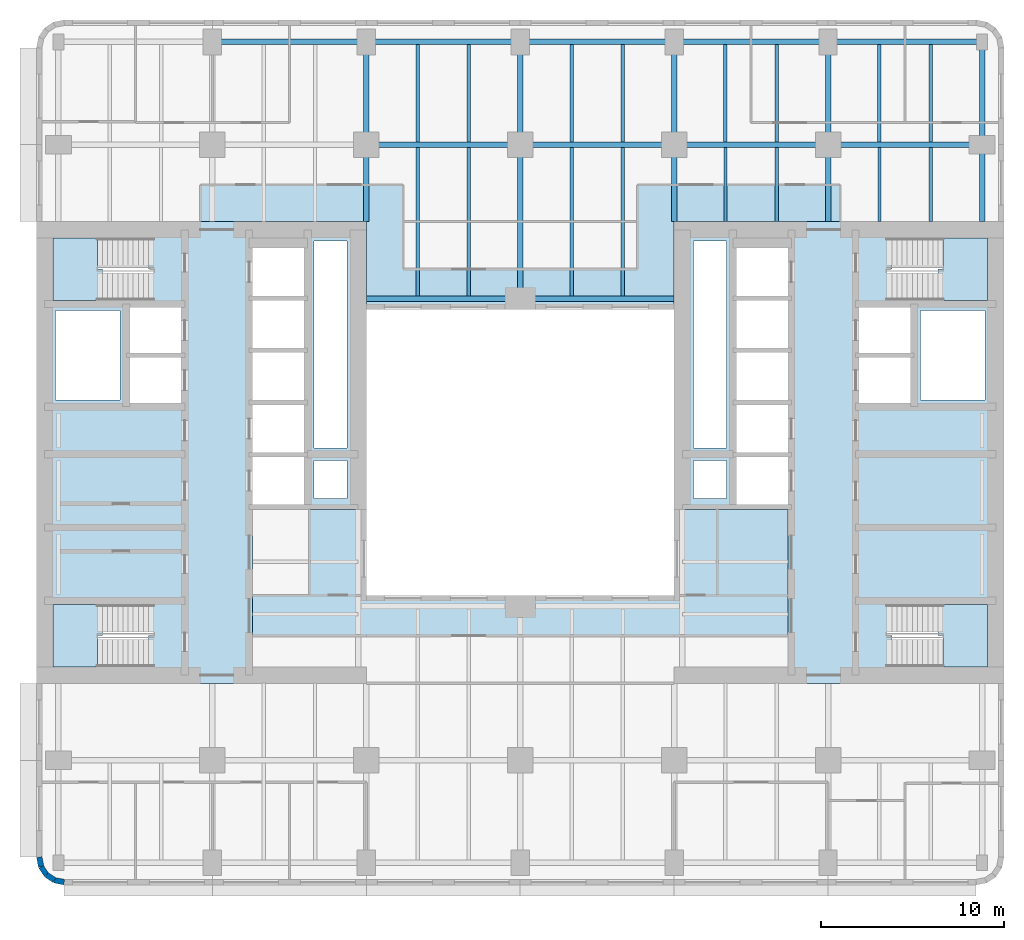
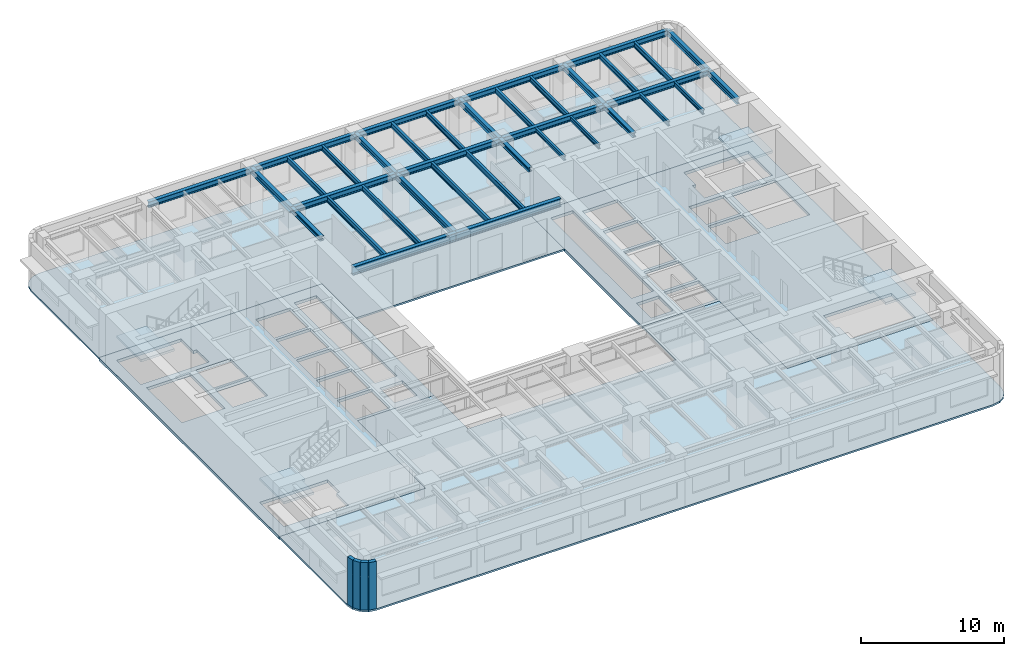
# One storey, part 2 of 11: 37 beams, 8 slabs, 4 walls, 4 elements without a shape of their own.
"""IFC4 building model written with IfcOpenShell, lengths in metres."""

import ifcopenshell
import ifcopenshell.guid

model = None  # the IFC model being written
_history = None  # IfcOwnerHistory: only IFC2X3 demands one
_inside = {}  # id of a spatial element -> (the spatial element, [elements in it])
_under = {}  # id of a project, library or spatial element -> (it, [spatial elements below it])
_declared = {}  # id of a project -> (the project, [libraries it declares])
_typed = {}  # id of a type object -> (the type object, [elements of that type])
_made_of = {}  # id of a material, layer set ... -> (it, [elements and type objects made of it])


def new_model(schema):
    """Start an empty IFC model of exactly this schema.

    Asked for "IFC4X3", IfcOpenShell would pick the latest addendum, in which some entities
    have other attributes; the version numbers below select the first issue.
    IFC2X3 requires an IfcOwnerHistory on every rooted entity: one is made here for all.
    """
    global model, _history
    if schema == "IFC4X3":
        model = ifcopenshell.file(schema_version=(4, 3, 0, 0))
    else:
        model = ifcopenshell.file(schema=schema)
    _inside.clear()
    _under.clear()
    _declared.clear()
    _typed.clear()
    _made_of.clear()
    _history = None
    if model.schema == "IFC2X3":
        org = make("IfcOrganization", Name="unknown")
        user = make(
            "IfcPersonAndOrganization",
            ThePerson=make("IfcPerson", FamilyName="unknown"),
            TheOrganization=org,
        )
        app = make(
            "IfcApplication",
            ApplicationDeveloper=org,
            Version="unknown",
            ApplicationFullName="unknown",
            ApplicationIdentifier="unknown",
        )
        _history = make(
            "IfcOwnerHistory",
            OwningUser=user,
            OwningApplication=app,
            ChangeAction="ADDED",
            CreationDate=0,
        )
    return model


def make(cls, **values):
    """One entity of the class cls with the attributes given. An attribute that is None is left unset."""
    return model.create_entity(
        cls, **{name: value for name, value in values.items() if value is not None}
    )


def rooted(cls, **values):
    """An entity with a GlobalId (a new one), such as an element, a storey or a relation."""
    return make(cls, GlobalId=ifcopenshell.guid.new(), OwnerHistory=_history, **values)


def si_unit(unit_type, name, prefix=None):
    """IfcSIUnit, for example si_unit("LENGTHUNIT", "METRE", prefix="MILLI")."""
    return make("IfcSIUnit", UnitType=unit_type, Prefix=prefix, Name=name)


def assignment(units):
    """IfcUnitAssignment: the units of a project."""
    return None if units is None else make("IfcUnitAssignment", Units=units)


def point(xyz):
    """IfcCartesianPoint."""
    return None if xyz is None else make("IfcCartesianPoint", Coordinates=xyz)


def direction(xyz):
    """IfcDirection."""
    return None if xyz is None else make("IfcDirection", DirectionRatios=xyz)


def frame(location, z_axis=None, x_axis=None):
    """IfcAxis2Placement3D, a coordinate frame: its origin and axes. An axis left out is left unset."""
    return make(
        "IfcAxis2Placement3D",
        Location=point(location),
        Axis=direction(z_axis),
        RefDirection=direction(x_axis),
    )


def frame_2d(location, x_axis=None):
    """IfcAxis2Placement2D, a coordinate frame in the plane: its origin and x axis."""
    return make(
        "IfcAxis2Placement2D", Location=point(location), RefDirection=direction(x_axis)
    )


def origin():
    """The frame at (0, 0, 0) with its axes left unset."""
    return frame((0.0, 0.0, 0.0))


def origin_2d():
    """The frame at (0, 0) in the plane with its x axis left unset."""
    return frame_2d((0.0, 0.0))


def place(relative_to, where):
    """IfcLocalPlacement: puts the frame where relative to a parent placement (None: the world)."""
    return make(
        "IfcLocalPlacement", PlacementRelTo=relative_to, RelativePlacement=where
    )


def context(
    kind, dimensions, precision=None, world=None, true_north=None, identifier=None
):
    """IfcGeometricRepresentationContext, for example the 3D "Model" context."""
    return make(
        "IfcGeometricRepresentationContext",
        ContextIdentifier=identifier,
        ContextType=kind,
        CoordinateSpaceDimension=dimensions,
        Precision=precision,
        WorldCoordinateSystem=world,
        TrueNorth=true_north,
    )


def subcontext(parent, identifier, kind, view, scale=None):
    """IfcGeometricRepresentationSubContext, for example "Body" below "Model"."""
    return make(
        "IfcGeometricRepresentationSubContext",
        ContextIdentifier=identifier,
        ContextType=kind,
        ParentContext=parent,
        TargetScale=scale,
        TargetView=view,
    )


def project(units=None, contexts=None):
    """IfcProject with its units and contexts."""
    return rooted(
        "IfcProject",
        Name="project",
        RepresentationContexts=contexts,
        UnitsInContext=assignment(units),
    )


def spatial(cls, under=None, at=None, **own):
    """A site, building, storey or space (cls), placed at a placement, below another one or the project."""
    s = rooted(cls, ObjectPlacement=at, **own)
    if under is not None:
        _under.setdefault(under.id(), (under, []))[1].append(s)
    return s


def polyline(points):
    """IfcPolyline through the points."""
    return make("IfcPolyline", Points=[point(p) for p in points])


def profile(cls, at=None, kind="AREA", **sizes):
    """A parametric profile (cls). Its sizes go by their IFC names, for example OverallWidth=200.0."""
    return make(cls, ProfileType=kind, Position=at, **sizes)


def rectangle(**sizes):
    """IfcRectangleProfileDef."""
    return profile("IfcRectangleProfileDef", **sizes)


def i_section(**sizes):
    """IfcIShapeProfileDef."""
    return profile("IfcIShapeProfileDef", **sizes)


def outline(outer, holes=None, kind="AREA"):
    """IfcArbitraryClosedProfileDef: a profile drawn as a closed curve; with holes, ...WithVoids."""
    if holes is None:
        return make("IfcArbitraryClosedProfileDef", ProfileType=kind, OuterCurve=outer)
    return make(
        "IfcArbitraryProfileDefWithVoids",
        ProfileType=kind,
        OuterCurve=outer,
        InnerCurves=holes,
    )


def extrude(swept, where, along, depth):
    """IfcExtrudedAreaSolid: the profile swept, set in the frame where, extruded along a direction by depth."""
    return make(
        "IfcExtrudedAreaSolid",
        SweptArea=swept,
        Position=where,
        ExtrudedDirection=direction(along),
        Depth=depth,
    )


def shape(context_of_items, identifier, shape_type, items):
    """IfcShapeRepresentation: the items that make up one representation, for example the "Body"."""
    return make(
        "IfcShapeRepresentation",
        ContextOfItems=context_of_items,
        RepresentationIdentifier=identifier,
        RepresentationType=shape_type,
        Items=items,
    )


def material(Name=None, Category=None):
    """IfcMaterial."""
    return make("IfcMaterial", Name=Name, Category=Category)


def layer(
    of_material, thickness, ventilated=None, Name=None, Category=None, Priority=None
):
    """IfcMaterialLayer: one layer of a wall or slab, of a material (None: an air gap)."""
    return make(
        "IfcMaterialLayer",
        Material=of_material,
        LayerThickness=thickness,
        IsVentilated=ventilated,
        Name=Name,
        Category=Category,
        Priority=Priority,
    )


def layer_set(layers, Name=None):
    """IfcMaterialLayerSet."""
    return make("IfcMaterialLayerSet", MaterialLayers=layers, LayerSetName=Name)


def material_profile(
    of_material, cross_section, Name=None, Category=None, Priority=None
):
    """IfcMaterialProfile: a cross section and its material."""
    return make(
        "IfcMaterialProfile",
        Name=Name,
        Material=of_material,
        Profile=cross_section,
        Priority=Priority,
        Category=Category,
    )


def profile_set(profiles, Name=None, composite=None):
    """IfcMaterialProfileSet."""
    return make(
        "IfcMaterialProfileSet",
        Name=Name,
        MaterialProfiles=profiles,
        CompositeProfile=composite,
    )


def made_of(thing, what):
    """Note that an element or type object is made of a material, layer set ...; save() writes the relation."""
    if what is not None:
        _made_of.setdefault(what.id(), (what, []))[1].append(thing)
    return thing


def type_object(cls, material=None, **own):
    """A type object (cls), such as IfcWallType, which elements share."""
    return made_of(rooted(cls, **own), material)


def element(
    cls,
    number,
    at=None,
    inside=None,
    cuts=None,
    type_object=None,
    material=None,
    context=None,
    identifier="Body",
    shape_type=None,
    held_by="IfcProductDefinitionShape",
    body=None,
    shapes=None,
    **own,
):
    """One element of the class cls, such as IfcWall. Its Tag is "e" and its number.

    at: its placement. inside: the storey or other place that contains it. cuts: it is an
    opening in that element (IfcRelVoidsElement). A single representation is given by context,
    identifier, shape_type and body (its items); several are given by shapes. held_by: the class
    of the entity that holds the representations. save() writes the other relations.
    """
    e = rooted(cls, Tag="e%d" % number, ObjectPlacement=at, **own)
    if body is not None:
        shapes = [shape(context, identifier, shape_type, body)]
    if shapes is not None:
        e.Representation = make(held_by, Representations=shapes)
    if inside is not None:
        _inside.setdefault(inside.id(), (inside, []))[1].append(e)
    if cuts is not None:
        rooted(
            "IfcRelVoidsElement", RelatingBuildingElement=cuts, RelatedOpeningElement=e
        )
    if type_object is not None:
        _typed.setdefault(type_object.id(), (type_object, []))[1].append(e)
    return made_of(e, material)


def aggregate(whole, parts):
    """IfcRelAggregates: a whole, such as a stair, and the parts it consists of."""
    return rooted("IfcRelAggregates", RelatingObject=whole, RelatedObjects=parts)


def save(model, path):
    """Write the relations noted so far, then the file.

    IfcRelAggregates (storeys below a building ...), IfcRelContainedInSpatialStructure (elements
    in a storey), IfcRelDefinesByType, IfcRelAssociatesMaterial and IfcRelDeclares: one each for
    every whole, place, type object, material and project.
    """
    for whole, parts in _under.values():
        aggregate(whole, parts)
    for where, things in _inside.values():
        rooted(
            "IfcRelContainedInSpatialStructure",
            RelatedElements=things,
            RelatingStructure=where,
        )
    for kind, things in _typed.values():
        rooted("IfcRelDefinesByType", RelatedObjects=things, RelatingType=kind)
    for what, things in _made_of.values():
        rooted("IfcRelAssociatesMaterial", RelatedObjects=things, RelatingMaterial=what)
    for by, libraries in _declared.values():
        rooted("IfcRelDeclares", RelatingContext=by, RelatedDefinitions=libraries)
    model.write(path)


model = new_model("IFC4")

# Units and contexts
model_context = context("Model", 3, precision=1e-05, world=origin(), true_north=direction((0.0, 1.0)))
body_context = subcontext(model_context, "Body", "Model", "MODEL_VIEW")
ifc_project = project(units=[si_unit("LENGTHUNIT", "METRE"), si_unit("AREAUNIT", "SQUARE_METRE"), si_unit("VOLUMEUNIT", "CUBIC_METRE"), si_unit("PLANEANGLEUNIT", "RADIAN"), si_unit("MASSUNIT", "GRAM", prefix="KILO")], contexts=[model_context])

# Site, building, storey
site_placement = place(None, origin())
site = spatial("IfcSite", under=ifc_project, at=site_placement, CompositionType="ELEMENT")
building_placement = place(site_placement, origin())
building = spatial("IfcBuilding", under=site, at=building_placement, Name="Claustro Exchange Tower", CompositionType="ELEMENT")
storey_placement = place(building_placement, frame((0.0, 0.0, 105.0)))
storey = spatial("IfcBuildingStorey", under=building, at=storey_placement, Name="L23", CompositionType="ELEMENT", Elevation=105.0)

# Beams
ifc_material_1 = material(Name="Steel S355", Category="steel")
ifc_material_profile_1 = material_profile(ifc_material_1, i_section(OverallWidth=0.300048828125, OverallDepth=0.68994140625, WebThickness=0.014404296875, FlangeThickness=0.027099609375, FilletRadius=0.027099609375, at=origin_2d()), Name="HE 700 A")
ifc_profile_set_1 = profile_set([ifc_material_profile_1], Name="Steel S355")
beam_type_1 = type_object("IfcBeamType", Name="B13 HE 700 A light well edge girder", PredefinedType="BEAM", material=ifc_profile_set_1)
beam_1_placement = place(storey_placement, frame((16.800048828125, 33.60009765625, 3.705078125), z_axis=(1.0, 0.0, 0.0), x_axis=(0.0, 1.0, 0.0)))
element("IfcBeam", 1, at=beam_1_placement, inside=storey, type_object=beam_type_1, Name="Beam B13 L24", PredefinedType="BEAM", context=body_context, shape_type="SweptSolid", body=[
    extrude(i_section(OverallWidth=0.300048828125, OverallDepth=0.68994140625, WebThickness=0.014404296875, FlangeThickness=0.027099609375, FilletRadius=0.027099609375, at=origin_2d()), origin(), (0.0, 0.0, 1.0), 8.39990234375),
])
beam_2_placement = place(storey_placement, frame((25.199951171875, 33.60009765625, 3.705078125), z_axis=(1.0, 0.0, 0.0), x_axis=(0.0, 1.0, 0.0)))
element("IfcBeam", 2, at=beam_2_placement, inside=storey, type_object=beam_type_1, Name="Beam B13 L24", PredefinedType="BEAM", context=body_context, shape_type="SweptSolid", body=[
    extrude(i_section(OverallWidth=0.300048828125, OverallDepth=0.68994140625, WebThickness=0.014404296875, FlangeThickness=0.027099609375, FilletRadius=0.027099609375, at=origin_2d()), origin(), (0.0, 0.0, 1.0), 8.400146484375),
])
ifc_material_2 = material(Name="Steel S355", Category="steel")
ifc_material_profile_2 = material_profile(ifc_material_2, i_section(OverallWidth=0.169921875, OverallDepth=0.360107421875, WebThickness=0.008056640625, FlangeThickness=0.0126953125, FilletRadius=0.01806640625, at=origin_2d()), Name="IPE 360")
ifc_profile_set_2 = profile_set([ifc_material_profile_2], Name="Steel S355")
beam_type_2 = type_object("IfcBeamType", Name="B16 IPE 360 short-span beam", PredefinedType="BEAM", material=ifc_profile_set_2)
for number, where, z_axis, x_axis, name in (
    (3, (36.39990234375, 37.7900390625, 3.8701171875), (0.0, 1.0, 0.0), (-1.0, 0.0, 0.0), "Beam B16 L24"),
    (4, (39.199951171875, 37.7900390625, 3.8701171875), (0.0, 1.0, 0.0), (-1.0, 0.0, 0.0), "Beam B16 L24"),
    (5, (44.800048828125, 37.7900390625, 3.8701171875), (0.0, 1.0, 0.0), (-1.0, 0.0, 0.0), "Beam B16 L24"),
    (6, (47.60009765625, 37.7900390625, 3.8701171875), (0.0, 1.0, 0.0), (-1.0, 0.0, 0.0), "Beam B16 L24"),
):
    element("IfcBeam", number, at=place(storey_placement, frame(where, z_axis=z_axis, x_axis=x_axis)), inside=storey, type_object=beam_type_2, Name=name, PredefinedType="BEAM", context=body_context, shape_type="SweptSolid", body=[
        extrude(i_section(OverallWidth=0.169921875, OverallDepth=0.360107421875, WebThickness=0.008056640625, FlangeThickness=0.0126953125, FilletRadius=0.01806640625, at=origin_2d()), origin(), (0.0, 0.0, 1.0), 4.06005859375),
    ])
ifc_material_3 = material(Name="Steel S355", Category="steel")
ifc_material_profile_3 = material_profile(ifc_material_3, i_section(OverallWidth=0.300048828125, OverallDepth=0.360107421875, WebThickness=0.012451171875, FlangeThickness=0.0224609375, FilletRadius=0.027099609375, at=origin_2d()), Name="HE 360 B")
ifc_profile_set_3 = profile_set([ifc_material_profile_3], Name="Steel S355")
beam_type_3 = type_object("IfcBeamType", Name="B29 HE 360 B column to core link beam", PredefinedType="BEAM", material=ifc_profile_set_3)
for number, where, z_axis, x_axis, name in (
    (7, (16.800048828125, 37.800048828125, 3.8701171875), (0.0, 1.0, 0.0), (-1.0, 0.0, 0.0), "Beam B29 L24"),
    (8, (33.60009765625, 37.800048828125, 3.8701171875), (0.0, 1.0, 0.0), (-1.0, 0.0, 0.0), "Beam B29 L24"),
    (9, (42.0, 37.800048828125, 3.8701171875), (0.0, 1.0, 0.0), (-1.0, 0.0, 0.0), "Beam B29 L24"),
):
    element("IfcBeam", number, at=place(storey_placement, frame(where, z_axis=z_axis, x_axis=x_axis)), inside=storey, type_object=beam_type_3, Name=name, PredefinedType="BEAM", context=body_context, shape_type="SweptSolid", body=[
        extrude(i_section(OverallWidth=0.300048828125, OverallDepth=0.360107421875, WebThickness=0.012451171875, FlangeThickness=0.0224609375, FilletRadius=0.027099609375, at=origin_2d()), origin(), (0.0, 0.0, 1.0), 4.199951171875),
    ])
ifc_material_4 = material(Name="Steel S355", Category="steel")
ifc_material_profile_4 = material_profile(ifc_material_4, i_section(OverallWidth=0.300048828125, OverallDepth=0.5, WebThickness=0.014404296875, FlangeThickness=0.028076171875, FilletRadius=0.027099609375, at=origin_2d()), Name="HE 500 B")
ifc_profile_set_4 = profile_set([ifc_material_profile_4], Name="Steel S355")
beam_type_4 = type_object("IfcBeamType", Name="B7 HE 500 B floor girder", PredefinedType="BEAM", material=ifc_profile_set_4)
beam_3_placement = place(storey_placement, frame((16.800048828125, 42.0, 3.800048828125), z_axis=(0.0, 1.0, 0.0), x_axis=(-1.0, 0.0, 0.0)))
element("IfcBeam", 10, at=beam_3_placement, inside=storey, type_object=beam_type_4, Name="Beam B7 L24", PredefinedType="BEAM", context=body_context, shape_type="SweptSolid", body=[
    extrude(i_section(OverallWidth=0.300048828125, OverallDepth=0.5, WebThickness=0.014404296875, FlangeThickness=0.028076171875, FilletRadius=0.027099609375, at=origin_2d()), origin(), (0.0, 0.0, 1.0), 5.60009765625),
])
beam_4_placement = place(storey_placement, frame((25.199951171875, 33.60009765625, 3.800048828125), z_axis=(0.0, 1.0, 0.0), x_axis=(-1.0, 0.0, 0.0)))
element("IfcBeam", 11, at=beam_4_placement, inside=storey, type_object=beam_type_4, Name="Beam B7 L24", PredefinedType="BEAM", context=body_context, shape_type="SweptSolid", body=[
    extrude(i_section(OverallWidth=0.300048828125, OverallDepth=0.5, WebThickness=0.014404296875, FlangeThickness=0.028076171875, FilletRadius=0.027099609375, at=origin_2d()), origin(), (0.0, 0.0, 1.0), 8.39990234375),
])
for number, where, z_axis, x_axis, name in (
    (12, (25.199951171875, 42.0, 3.800048828125), (0.0, 1.0, 0.0), (-1.0, 0.0, 0.0), "Beam B7 L24"),
    (13, (33.60009765625, 42.0, 3.800048828125), (0.0, 1.0, 0.0), (-1.0, 0.0, 0.0), "Beam B7 L24"),
    (14, (42.0, 42.0, 3.800048828125), (0.0, 1.0, 0.0), (-1.0, 0.0, 0.0), "Beam B7 L24"),
):
    element("IfcBeam", number, at=place(storey_placement, frame(where, z_axis=z_axis, x_axis=x_axis)), inside=storey, type_object=beam_type_4, Name=name, PredefinedType="BEAM", context=body_context, shape_type="SweptSolid", body=[
        extrude(i_section(OverallWidth=0.300048828125, OverallDepth=0.5, WebThickness=0.014404296875, FlangeThickness=0.028076171875, FilletRadius=0.027099609375, at=origin_2d()), origin(), (0.0, 0.0, 1.0), 5.60009765625),
    ])
beam_5_placement = place(storey_placement, frame((16.800048828125, 42.0, 3.800048828125), z_axis=(1.0, 0.0, 0.0), x_axis=(0.0, 1.0, 0.0)))
element("IfcBeam", 15, at=beam_5_placement, inside=storey, type_object=beam_type_4, Name="Beam B7 L24", PredefinedType="BEAM", context=body_context, shape_type="SweptSolid", body=[
    extrude(i_section(OverallWidth=0.300048828125, OverallDepth=0.5, WebThickness=0.014404296875, FlangeThickness=0.028076171875, FilletRadius=0.027099609375, at=origin_2d()), origin(), (0.0, 0.0, 1.0), 8.39990234375),
])
beam_6_placement = place(storey_placement, frame((25.199951171875, 42.0, 3.800048828125), z_axis=(1.0, 0.0, 0.0), x_axis=(0.0, 1.0, 0.0)))
element("IfcBeam", 16, at=beam_6_placement, inside=storey, type_object=beam_type_4, Name="Beam B7 L24", PredefinedType="BEAM", context=body_context, shape_type="SweptSolid", body=[
    extrude(i_section(OverallWidth=0.300048828125, OverallDepth=0.5, WebThickness=0.014404296875, FlangeThickness=0.028076171875, FilletRadius=0.027099609375, at=origin_2d()), origin(), (0.0, 0.0, 1.0), 8.400146484375),
])
for number, where, z_axis, x_axis, name in (
    (17, (33.60009765625, 42.0, 3.800048828125), (1.0, 0.0, 0.0), (0.0, 1.0, 0.0), "Beam B7 L24"),
    (18, (42.0, 42.0, 3.800048828125), (1.0, 0.0, 0.0), (0.0, 1.0, 0.0), "Beam B7 L24"),
):
    element("IfcBeam", number, at=place(storey_placement, frame(where, z_axis=z_axis, x_axis=x_axis)), inside=storey, type_object=beam_type_4, Name=name, PredefinedType="BEAM", context=body_context, shape_type="SweptSolid", body=[
        extrude(i_section(OverallWidth=0.300048828125, OverallDepth=0.5, WebThickness=0.014404296875, FlangeThickness=0.028076171875, FilletRadius=0.027099609375, at=origin_2d()), origin(), (0.0, 0.0, 1.0), 8.39990234375),
    ])
ifc_material_5 = material(Name="Steel S355", Category="steel")
ifc_material_profile_5 = material_profile(ifc_material_5, i_section(OverallWidth=0.18994140625, OverallDepth=0.449951171875, WebThickness=0.009521484375, FlangeThickness=0.0146484375, FilletRadius=0.02099609375, at=origin_2d()), Name="IPE 450")
ifc_profile_set_5 = profile_set([ifc_material_profile_5], Name="Steel S355")
beam_type_5 = type_object("IfcBeamType", Name="B8 IPE 450 secondary beam", PredefinedType="BEAM", material=ifc_profile_set_5)
for number, where, z_axis, x_axis, name in (
    (19, (19.60009765625, 33.75, 3.824951171875), (0.0, 1.0, 0.0), (-1.0, 0.0, 0.0), "Beam B8 L24"),
    (20, (22.39990234375, 33.75, 3.824951171875), (0.0, 1.0, 0.0), (-1.0, 0.0, 0.0), "Beam B8 L24"),
):
    element("IfcBeam", number, at=place(storey_placement, frame(where, z_axis=z_axis, x_axis=x_axis)), inside=storey, type_object=beam_type_5, Name=name, PredefinedType="BEAM", context=body_context, shape_type="SweptSolid", body=[
        extrude(i_section(OverallWidth=0.18994140625, OverallDepth=0.449951171875, WebThickness=0.009521484375, FlangeThickness=0.0146484375, FilletRadius=0.02099609375, at=origin_2d()), origin(), (0.0, 0.0, 1.0), 8.10009765625),
    ])
for number, where, z_axis, x_axis, name in (
    (21, (19.60009765625, 42.14990234375, 3.824951171875), (0.0, 1.0, 0.0), (-1.0, 0.0, 0.0), "Beam B8 L24"),
    (22, (22.39990234375, 42.14990234375, 3.824951171875), (0.0, 1.0, 0.0), (-1.0, 0.0, 0.0), "Beam B8 L24"),
):
    element("IfcBeam", number, at=place(storey_placement, frame(where, z_axis=z_axis, x_axis=x_axis)), inside=storey, type_object=beam_type_5, Name=name, PredefinedType="BEAM", context=body_context, shape_type="SweptSolid", body=[
        extrude(i_section(OverallWidth=0.18994140625, OverallDepth=0.449951171875, WebThickness=0.009521484375, FlangeThickness=0.0146484375, FilletRadius=0.02099609375, at=origin_2d()), origin(), (0.0, 0.0, 1.0), 5.300048828125),
    ])
for number, where, z_axis, x_axis, name in (
    (23, (28.0, 33.75, 3.824951171875), (0.0, 1.0, 0.0), (-1.0, 0.0, 0.0), "Beam B8 L24"),
    (24, (30.800048828125, 33.75, 3.824951171875), (0.0, 1.0, 0.0), (-1.0, 0.0, 0.0), "Beam B8 L24"),
):
    element("IfcBeam", number, at=place(storey_placement, frame(where, z_axis=z_axis, x_axis=x_axis)), inside=storey, type_object=beam_type_5, Name=name, PredefinedType="BEAM", context=body_context, shape_type="SweptSolid", body=[
        extrude(i_section(OverallWidth=0.18994140625, OverallDepth=0.449951171875, WebThickness=0.009521484375, FlangeThickness=0.0146484375, FilletRadius=0.02099609375, at=origin_2d()), origin(), (0.0, 0.0, 1.0), 8.10009765625),
    ])
for number, where, z_axis, x_axis, name in (
    (25, (28.0, 42.14990234375, 3.824951171875), (0.0, 1.0, 0.0), (-1.0, 0.0, 0.0), "Beam B8 L24"),
    (26, (30.800048828125, 42.14990234375, 3.824951171875), (0.0, 1.0, 0.0), (-1.0, 0.0, 0.0), "Beam B8 L24"),
    (27, (36.39990234375, 42.14990234375, 3.824951171875), (0.0, 1.0, 0.0), (-1.0, 0.0, 0.0), "Beam B8 L24"),
    (28, (39.199951171875, 42.14990234375, 3.824951171875), (0.0, 1.0, 0.0), (-1.0, 0.0, 0.0), "Beam B8 L24"),
    (29, (44.800048828125, 42.14990234375, 3.824951171875), (0.0, 1.0, 0.0), (-1.0, 0.0, 0.0), "Beam B8 L24"),
    (30, (47.60009765625, 42.14990234375, 3.824951171875), (0.0, 1.0, 0.0), (-1.0, 0.0, 0.0), "Beam B8 L24"),
):
    element("IfcBeam", number, at=place(storey_placement, frame(where, z_axis=z_axis, x_axis=x_axis)), inside=storey, type_object=beam_type_5, Name=name, PredefinedType="BEAM", context=body_context, shape_type="SweptSolid", body=[
        extrude(i_section(OverallWidth=0.18994140625, OverallDepth=0.449951171875, WebThickness=0.009521484375, FlangeThickness=0.0146484375, FilletRadius=0.02099609375, at=origin_2d()), origin(), (0.0, 0.0, 1.0), 5.300048828125),
    ])
ifc_material_6 = material(Name="Steel S355", Category="steel")
ifc_material_profile_6 = material_profile(ifc_material_6, i_section(OverallWidth=0.300048828125, OverallDepth=0.489990234375, WebThickness=0.011962890625, FlangeThickness=0.02294921875, FilletRadius=0.027099609375, at=origin_2d()), Name="HE 500 A")
ifc_profile_set_6 = profile_set([ifc_material_profile_6], Name="Steel S355")
beam_type_6 = type_object("IfcBeamType", Name="B9 HE 500 A spandrel edge girder", PredefinedType="SPANDREL", material=ifc_profile_set_6)
beam_7_placement = place(storey_placement, frame((50.39990234375, 37.800048828125, 3.804931640625), z_axis=(0.0, 1.0, 0.0), x_axis=(-1.0, 0.0, 0.0)))
element("IfcBeam", 31, at=beam_7_placement, inside=storey, type_object=beam_type_6, Name="Beam B9 L24", PredefinedType="SPANDREL", context=body_context, shape_type="SweptSolid", body=[
    extrude(i_section(OverallWidth=0.300048828125, OverallDepth=0.489990234375, WebThickness=0.011962890625, FlangeThickness=0.02294921875, FilletRadius=0.027099609375, at=origin_2d()), origin(), (0.0, 0.0, 1.0), 4.199951171875),
])
beam_8_placement = place(storey_placement, frame((50.39990234375, 42.0, 3.804931640625), z_axis=(0.0, 1.0, 0.0), x_axis=(-1.0, 0.0, 0.0)))
element("IfcBeam", 32, at=beam_8_placement, inside=storey, type_object=beam_type_6, Name="Beam B9 L24", PredefinedType="SPANDREL", context=body_context, shape_type="SweptSolid", body=[
    extrude(i_section(OverallWidth=0.300048828125, OverallDepth=0.489990234375, WebThickness=0.011962890625, FlangeThickness=0.02294921875, FilletRadius=0.027099609375, at=origin_2d()), origin(), (0.0, 0.0, 1.0), 5.60009765625),
])
beam_9_placement = place(storey_placement, frame((8.39990234375, 47.60009765625, 3.804931640625), z_axis=(1.0, 0.0, 0.0), x_axis=(0.0, 1.0, 0.0)))
element("IfcBeam", 33, at=beam_9_placement, inside=storey, type_object=beam_type_6, Name="Beam B9 L24", PredefinedType="SPANDREL", context=body_context, shape_type="SweptSolid", body=[
    extrude(i_section(OverallWidth=0.300048828125, OverallDepth=0.489990234375, WebThickness=0.011962890625, FlangeThickness=0.02294921875, FilletRadius=0.027099609375, at=origin_2d()), origin(), (0.0, 0.0, 1.0), 8.400146484375),
])
beam_10_placement = place(storey_placement, frame((16.800048828125, 47.60009765625, 3.804931640625), z_axis=(1.0, 0.0, 0.0), x_axis=(0.0, 1.0, 0.0)))
element("IfcBeam", 34, at=beam_10_placement, inside=storey, type_object=beam_type_6, Name="Beam B9 L24", PredefinedType="SPANDREL", context=body_context, shape_type="SweptSolid", body=[
    extrude(i_section(OverallWidth=0.300048828125, OverallDepth=0.489990234375, WebThickness=0.011962890625, FlangeThickness=0.02294921875, FilletRadius=0.027099609375, at=origin_2d()), origin(), (0.0, 0.0, 1.0), 8.39990234375),
])
beam_11_placement = place(storey_placement, frame((25.199951171875, 47.60009765625, 3.804931640625), z_axis=(1.0, 0.0, 0.0), x_axis=(0.0, 1.0, 0.0)))
element("IfcBeam", 35, at=beam_11_placement, inside=storey, type_object=beam_type_6, Name="Beam B9 L24", PredefinedType="SPANDREL", context=body_context, shape_type="SweptSolid", body=[
    extrude(i_section(OverallWidth=0.300048828125, OverallDepth=0.489990234375, WebThickness=0.011962890625, FlangeThickness=0.02294921875, FilletRadius=0.027099609375, at=origin_2d()), origin(), (0.0, 0.0, 1.0), 8.400146484375),
])
for number, where, z_axis, x_axis, name in (
    (36, (33.60009765625, 47.60009765625, 3.804931640625), (1.0, 0.0, 0.0), (0.0, 1.0, 0.0), "Beam B9 L24"),
    (37, (42.0, 47.60009765625, 3.804931640625), (1.0, 0.0, 0.0), (0.0, 1.0, 0.0), "Beam B9 L24"),
):
    element("IfcBeam", number, at=place(storey_placement, frame(where, z_axis=z_axis, x_axis=x_axis)), inside=storey, type_object=beam_type_6, Name=name, PredefinedType="SPANDREL", context=body_context, shape_type="SweptSolid", body=[
        extrude(i_section(OverallWidth=0.300048828125, OverallDepth=0.489990234375, WebThickness=0.011962890625, FlangeThickness=0.02294921875, FilletRadius=0.027099609375, at=origin_2d()), origin(), (0.0, 0.0, 1.0), 8.39990234375),
    ])

# Slabs
ifc_material_7 = material(Name="Concrete HA-50 (C50/60)", Category="concrete")
ifc_layer_1 = layer(ifc_material_7, 0.14990234375)
ifc_layer_set_1 = layer_set([ifc_layer_1], Name="Concrete HA-50 (C50/60)")
slab_type_1 = type_object("IfcSlabType", Name="S2 150 composite floor slab", PredefinedType="FLOOR", material=ifc_layer_set_1)
slab_1_placement = place(storey_placement, frame((0.0, 0.0, -0.14990234375)))
element("IfcSlab", 38, at=slab_1_placement, inside=storey, type_object=slab_type_1, Name="Floor slab S2 S L23", PredefinedType="FLOOR", context=body_context, shape_type="SweptSolid", body=[
    extrude(outline(polyline([(-0.27392578125, 1.714111328125), (0.300048828125, 1.60009765625), (50.10009765625, 1.60009765625), (50.674072265625, 1.714111328125), (51.16064453125, 2.039306640625), (51.48583984375, 2.52587890625), (51.60009765625, 3.10009765625), (51.60009765625, 12.60009765625), (39.800048828125, 12.60009765625), (39.800048828125, 22.10009765625), (33.60009765625, 22.10009765625), (33.60009765625, 17.39990234375), (16.800048828125, 17.39990234375), (16.800048828125, 22.10009765625), (10.60009765625, 22.10009765625), (10.60009765625, 12.60009765625), (-1.199951171875, 12.60009765625), (-1.199951171875, 3.10009765625), (-1.085693359375, 2.52587890625), (-0.7607421875, 2.039306640625), (-0.27392578125, 1.714111328125)])), origin(), (0.0, 0.0, 1.0), 0.14990234375),
])
slab_2_placement = place(storey_placement, frame((0.0, 0.0, -0.14990234375)))
element("IfcSlab", 39, at=slab_2_placement, inside=storey, type_object=slab_type_1, Name="Floor slab S2 N L23", PredefinedType="FLOOR", context=body_context, shape_type="SweptSolid", body=[
    extrude(outline(polyline([(16.800048828125, 37.800048828125), (16.800048828125, 33.0), (33.60009765625, 33.0), (33.60009765625, 37.800048828125), (51.60009765625, 37.800048828125), (51.60009765625, 47.300048828125), (51.48583984375, 47.8740234375), (51.16064453125, 48.360595703125), (50.674072265625, 48.685791015625), (50.10009765625, 48.800048828125), (0.300048828125, 48.800048828125), (-0.27392578125, 48.685791015625), (-0.7607421875, 48.360595703125), (-1.085693359375, 47.8740234375), (-1.199951171875, 47.300048828125), (-1.199951171875, 37.800048828125), (16.800048828125, 37.800048828125)])), origin(), (0.0, 0.0, 1.0), 0.14990234375),
])
ifc_material_8 = material(Name="Concrete HA-50 (C50/60)", Category="concrete")
ifc_layer_2 = layer(ifc_material_8, 0.25)
ifc_layer_set_2 = layer_set([ifc_layer_2], Name="Concrete HA-50 (C50/60)")
slab_type_2 = type_object("IfcSlabType", Name="S7 250 core floor slab", PredefinedType="FLOOR", material=ifc_layer_set_2)
slab_3_placement = place(storey_placement, frame((0.0, 0.0, -0.25)))
element("IfcSlab", 40, at=slab_3_placement, inside=storey, type_object=slab_type_2, Name="Core floor slab S7 W core L23", PredefinedType="FLOOR", context=body_context, shape_type="SweptSolid", body=[
    extrude(outline(polyline([(-1.199951171875, 37.800048828125), (-1.199951171875, 12.60009765625), (10.60009765625, 12.60009765625), (10.60009765625, 22.10009765625), (16.800048828125, 22.10009765625), (16.800048828125, 37.800048828125), (-1.199951171875, 37.800048828125)]), holes=[polyline([(13.949951171875, 24.75), (15.75, 24.75), (15.75, 22.699951171875), (13.949951171875, 22.699951171875), (13.949951171875, 24.75)]), polyline([(13.949951171875, 36.75), (15.75, 36.75), (15.75, 25.449951171875), (13.949951171875, 25.449951171875), (13.949951171875, 36.75)]), polyline([(13.39990234375, 24.949951171875), (13.39990234375, 22.35009765625), (10.60009765625, 22.35009765625), (10.60009765625, 24.949951171875), (13.39990234375, 24.949951171875)]), polyline([(13.39990234375, 27.800048828125), (13.39990234375, 25.199951171875), (10.60009765625, 25.199951171875), (10.60009765625, 27.800048828125), (13.39990234375, 27.800048828125)]), polyline([(13.39990234375, 30.64990234375), (13.39990234375, 28.050048828125), (10.60009765625, 28.050048828125), (10.60009765625, 30.64990234375), (13.39990234375, 30.64990234375)]), polyline([(13.39990234375, 33.5), (13.39990234375, 30.89990234375), (10.60009765625, 30.89990234375), (10.60009765625, 33.5), (13.39990234375, 33.5)]), polyline([(13.39990234375, 36.35009765625), (13.39990234375, 33.75), (10.60009765625, 33.75), (10.60009765625, 36.35009765625), (13.39990234375, 36.35009765625)]), polyline([(6.699951171875, 30.375), (6.699951171875, 27.89990234375), (3.89990234375, 27.89990234375), (3.89990234375, 30.375), (6.699951171875, 30.375)]), polyline([(6.699951171875, 33.10009765625), (6.699951171875, 30.625), (3.89990234375, 30.625), (3.89990234375, 33.10009765625), (6.699951171875, 33.10009765625)]), polyline([(-0.300048828125, 15.199951171875), (-0.300048828125, 16.89990234375), (5.195068359375, 16.89990234375), (5.195068359375, 15.199951171875), (4.919921875, 15.199951171875), (4.919921875, 13.5), (-0.300048828125, 13.5), (-0.300048828125, 15.199951171875)]), polyline([(-0.300048828125, 35.199951171875), (-0.300048828125, 36.89990234375), (4.919921875, 36.89990234375), (4.919921875, 35.199951171875), (5.195068359375, 35.199951171875), (5.195068359375, 33.5), (-0.300048828125, 33.5), (-0.300048828125, 35.199951171875)]), polyline([(-0.14990234375, 32.949951171875), (3.35009765625, 32.949951171875), (3.35009765625, 28.050048828125), (-0.14990234375, 28.050048828125), (-0.14990234375, 32.949951171875)])]), origin(), (0.0, 0.0, 1.0), 0.25),
])
slab_4_placement = place(storey_placement, frame((0.0, 0.0, -0.25)))
element("IfcSlab", 41, at=slab_4_placement, inside=storey, type_object=slab_type_2, Name="Core floor slab S7 E core L23", PredefinedType="FLOOR", context=body_context, shape_type="SweptSolid", body=[
    extrude(outline(polyline([(51.60009765625, 37.800048828125), (33.60009765625, 37.800048828125), (33.60009765625, 22.10009765625), (39.800048828125, 22.10009765625), (39.800048828125, 12.60009765625), (51.60009765625, 12.60009765625), (51.60009765625, 37.800048828125)]), holes=[polyline([(45.47998046875, 15.199951171875), (45.205078125, 15.199951171875), (45.205078125, 16.89990234375), (50.699951171875, 16.89990234375), (50.699951171875, 15.199951171875), (50.699951171875, 13.5), (45.47998046875, 13.5), (45.47998046875, 15.199951171875)]), polyline([(45.47998046875, 35.199951171875), (45.47998046875, 36.89990234375), (50.699951171875, 36.89990234375), (50.699951171875, 35.199951171875), (50.699951171875, 33.5), (45.205078125, 33.5), (45.205078125, 35.199951171875), (45.47998046875, 35.199951171875)]), polyline([(50.550048828125, 32.949951171875), (50.550048828125, 28.050048828125), (47.050048828125, 28.050048828125), (47.050048828125, 32.949951171875), (50.550048828125, 32.949951171875)]), polyline([(43.699951171875, 33.10009765625), (46.5, 33.10009765625), (46.5, 30.625), (43.699951171875, 30.625), (43.699951171875, 33.10009765625)]), polyline([(46.5, 30.375), (46.5, 27.89990234375), (43.699951171875, 27.89990234375), (43.699951171875, 30.375), (46.5, 30.375)]), polyline([(37.0, 24.949951171875), (39.800048828125, 24.949951171875), (39.800048828125, 22.35009765625), (37.0, 22.35009765625), (37.0, 24.949951171875)]), polyline([(37.0, 30.64990234375), (39.800048828125, 30.64990234375), (39.800048828125, 28.050048828125), (37.0, 28.050048828125), (37.0, 30.64990234375)]), polyline([(39.800048828125, 27.800048828125), (39.800048828125, 25.199951171875), (37.0, 25.199951171875), (37.0, 27.800048828125), (39.800048828125, 27.800048828125)]), polyline([(39.800048828125, 33.5), (39.800048828125, 30.89990234375), (37.0, 30.89990234375), (37.0, 33.5), (39.800048828125, 33.5)]), polyline([(39.800048828125, 36.35009765625), (39.800048828125, 33.75), (37.0, 33.75), (37.0, 36.35009765625), (39.800048828125, 36.35009765625)]), polyline([(36.449951171875, 24.75), (36.449951171875, 22.699951171875), (34.64990234375, 22.699951171875), (34.64990234375, 24.75), (36.449951171875, 24.75)]), polyline([(36.449951171875, 36.75), (36.449951171875, 25.449951171875), (34.64990234375, 25.449951171875), (34.64990234375, 36.75), (36.449951171875, 36.75)])]), origin(), (0.0, 0.0, 1.0), 0.25),
])

# Stair, slab
ifc_material_9 = material(Name="Concrete HA-30 (C30/37), precast", Category="concrete")
stair_type = type_object("IfcStairType", Name="ST1 half-turn stair, 24 risers of 175", PredefinedType="HALF_TURN_STAIR", material=ifc_material_9)
stair_1_placement = place(storey_placement, origin())
stair_1 = element("IfcStair", 42, at=stair_1_placement, inside=storey, type_object=stair_type, Name="Stair STWA L23", PredefinedType="HALF_TURN_STAIR")
ifc_material_10 = material(Name="Concrete HA-30 (C30/37), precast", Category="concrete")
ifc_layer_3 = layer(ifc_material_10, 0.199951171875)
ifc_layer_set_3 = layer_set([ifc_layer_3], Name="Concrete HA-30 (C30/37), precast")
slab_type_3 = type_object("IfcSlabType", Name="S9 200 stair landing", PredefinedType="LANDING", material=ifc_layer_set_3)
slab_5_placement = place(storey_placement, frame((0.0, 0.0, 1.89990234375)))
slab_5 = element("IfcSlab", 43, at=slab_5_placement, type_object=slab_type_3, Name="STWA landing 1", PredefinedType="LANDING", context=body_context, shape_type="SweptSolid", body=[
    extrude(outline(polyline([(2.125, 13.5), (-0.300048828125, 13.5), (-0.300048828125, 16.89990234375), (2.1201171875, 16.89990234375), (2.125, 16.89990234375), (2.39990234375, 16.89990234375), (2.39990234375, 15.199951171875), (2.125, 15.199951171875), (2.125, 13.5)])), origin(), (0.0, 0.0, 1.0), 0.2001953125),
])
aggregate(stair_1, [slab_5])

stair_2_placement = place(storey_placement, origin())
stair_2 = element("IfcStair", 44, at=stair_2_placement, inside=storey, type_object=stair_type, Name="Stair STWB L23", PredefinedType="HALF_TURN_STAIR")
slab_6_placement = place(storey_placement, frame((0.0, 0.0, 1.89990234375)))
slab_6 = element("IfcSlab", 45, at=slab_6_placement, type_object=slab_type_3, Name="STWB landing 1", PredefinedType="LANDING", context=body_context, shape_type="SweptSolid", body=[
    extrude(outline(polyline([(2.39990234375, 35.199951171875), (2.39990234375, 33.5), (2.125, 33.5), (2.1201171875, 33.5), (-0.300048828125, 33.5), (-0.300048828125, 36.89990234375), (2.125, 36.89990234375), (2.125, 35.199951171875), (2.39990234375, 35.199951171875)])), origin(), (0.0, 0.0, 1.0), 0.2001953125),
])
aggregate(stair_2, [slab_6])

stair_3_placement = place(storey_placement, origin())
stair_3 = element("IfcStair", 46, at=stair_3_placement, inside=storey, type_object=stair_type, Name="Stair STEA L23", PredefinedType="HALF_TURN_STAIR")
slab_7_placement = place(storey_placement, frame((0.0, 0.0, 1.89990234375)))
slab_7 = element("IfcSlab", 47, at=slab_7_placement, type_object=slab_type_3, Name="STEA landing 1", PredefinedType="LANDING", context=body_context, shape_type="SweptSolid", body=[
    extrude(outline(polyline([(50.699951171875, 16.89990234375), (50.699951171875, 13.5), (48.27490234375, 13.5), (48.27490234375, 15.199951171875), (48.0, 15.199951171875), (48.0, 16.89990234375), (48.27490234375, 16.89990234375), (48.280029296875, 16.89990234375), (50.699951171875, 16.89990234375)])), origin(), (0.0, 0.0, 1.0), 0.2001953125),
])
aggregate(stair_3, [slab_7])

stair_4_placement = place(storey_placement, origin())
stair_4 = element("IfcStair", 48, at=stair_4_placement, inside=storey, type_object=stair_type, Name="Stair STEB L23", PredefinedType="HALF_TURN_STAIR")
slab_8_placement = place(storey_placement, frame((0.0, 0.0, 1.89990234375)))
slab_8 = element("IfcSlab", 49, at=slab_8_placement, type_object=slab_type_3, Name="STEB landing 1", PredefinedType="LANDING", context=body_context, shape_type="SweptSolid", body=[
    extrude(outline(polyline([(48.0, 33.5), (48.0, 35.199951171875), (48.27490234375, 35.199951171875), (48.27490234375, 36.89990234375), (50.699951171875, 36.89990234375), (50.699951171875, 33.5), (48.280029296875, 33.5), (48.27490234375, 33.5), (48.0, 33.5)])), origin(), (0.0, 0.0, 1.0), 0.2001953125),
])
aggregate(stair_4, [slab_8])

# Walls
ifc_material_11 = material(Name="Concrete HA-40 (C40/50), precast, white cement, acid-etched", Category="concrete")
ifc_layer_4 = layer(ifc_material_11, 0.300048828125)
ifc_layer_set_4 = layer_set([ifc_layer_4], Name="Concrete HA-40 (C40/50), precast, white cement, acid-etched")
wall_type = type_object("IfcWallType", Name="PC1 300 precast concrete pier panel", PredefinedType="SOLIDWALL", material=ifc_layer_set_4)
wall_1_placement = place(storey_placement, frame((0.314697265625, 1.75, 0.0), z_axis=(0.0, 0.0, 1.0), x_axis=(-0.980788534345, 0.195073962632, 0.0)))
element("IfcWall", 50, at=wall_1_placement, inside=storey, type_object=wall_type, Name="Precast pier panel PC1 L23", PredefinedType="SOLIDWALL", context=body_context, shape_type="SweptSolid", body=[
    extrude(rectangle(XDim=0.540771484375, YDim=0.300048828125, at=frame_2d((0.2705078125, 0.0))), origin(), (0.0, 0.0, 1.0), 4.050048828125),
])
for number, where, z_axis, x_axis, name in (
    (51, (-0.215576171875, 1.85546875, 0.0), (0.0, 0.0, 1.0), (-0.831478144188, 0.555557463938, 0.0), "Precast pier panel PC1 L23"),
    (52, (-0.652587890625, 2.1474609375, 0.0), (0.0, 0.0, 1.0), (-0.555557463938, 0.831478144188, 0.0), "Precast pier panel PC1 L23"),
):
    element("IfcWall", number, at=place(storey_placement, frame(where, z_axis=z_axis, x_axis=x_axis)), inside=storey, type_object=wall_type, Name=name, PredefinedType="SOLIDWALL", context=body_context, shape_type="SweptSolid", body=[
        extrude(rectangle(XDim=0.525634765625, YDim=0.300048828125, at=frame_2d((0.2626953125, 0.0))), origin(), (0.0, 0.0, 1.0), 4.050048828125),
    ])
wall_2_placement = place(storey_placement, frame((-0.944580078125, 2.58447265625, 0.0), z_axis=(0.0, 0.0, 1.0), x_axis=(-0.195073962632, 0.980788534345, 0.0)))
element("IfcWall", 53, at=wall_2_placement, inside=storey, type_object=wall_type, Name="Precast pier panel PC1 L23", PredefinedType="SOLIDWALL", context=body_context, shape_type="SweptSolid", body=[
    extrude(rectangle(XDim=0.540771484375, YDim=0.300048828125, at=frame_2d((0.2705078125, 0.0))), origin(), (0.0, 0.0, 1.0), 4.050048828125),
])

save(model, "model.ifc")
